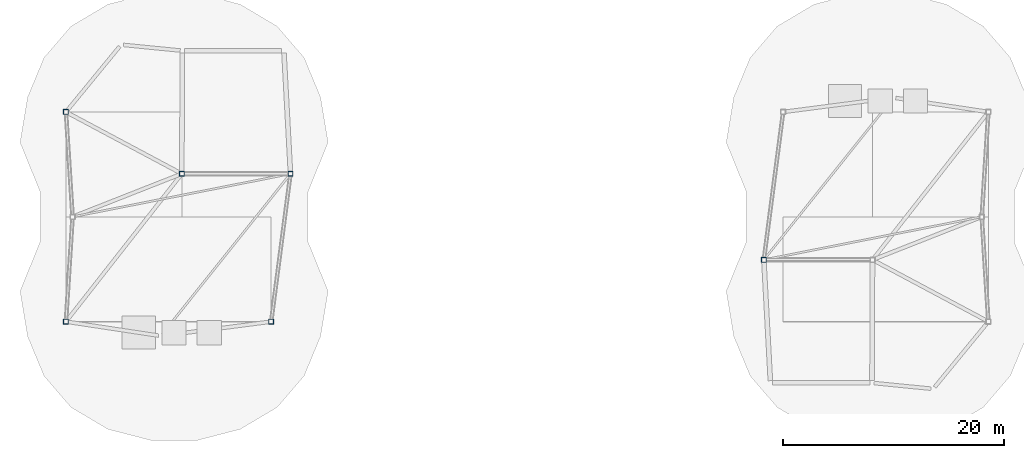
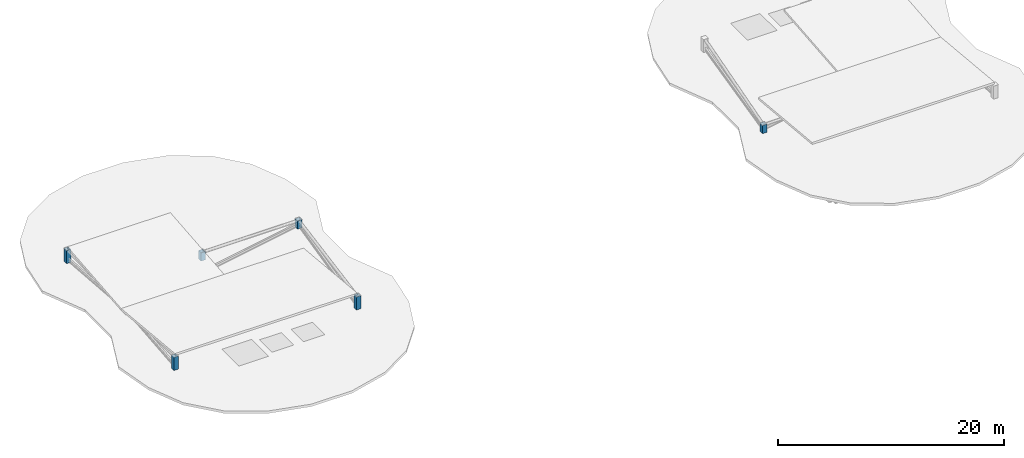
# One storey, part 1 of 6: 6 columns.
"""IFC4 building model written with IfcOpenShell, lengths in metres."""

from ifc_helpers import new_model, si_unit, direction, frame, origin, origin_2d, place, context, subcontext, project, spatial, hollow_rectangle, extrude, material, material_profile, profile_set, type_object, element, save


model = new_model("IFC4")

# Units and contexts
model_context = context("Model", 3, precision=1e-05, world=origin(), true_north=direction((0.0, 1.0)))
body_context = subcontext(model_context, "Body", "Model", "MODEL_VIEW")
ifc_project = project(units=[si_unit("LENGTHUNIT", "METRE"), si_unit("AREAUNIT", "SQUARE_METRE"), si_unit("VOLUMEUNIT", "CUBIC_METRE"), si_unit("PLANEANGLEUNIT", "RADIAN"), si_unit("MASSUNIT", "GRAM", prefix="KILO"), si_unit("THERMODYNAMICTEMPERATUREUNIT", "KELVIN"), si_unit("POWERUNIT", "WATT")], contexts=[model_context])

# Site, building, storey
site_placement = place(None, origin())
site = spatial("IfcSite", under=ifc_project, at=site_placement, CompositionType="ELEMENT")
building_placement = place(site_placement, origin())
building = spatial("IfcBuilding", under=site, at=building_placement, Name="Cundina Bronze Exchange", CompositionType="ELEMENT")
storey_placement = place(building_placement, frame((0.0, 0.0, 291.60009765625)))
storey = spatial("IfcBuildingStorey", under=building, at=storey_placement, Name="RF", CompositionType="ELEMENT", Elevation=291.60009765625)

# Columns
ifc_material = material(Name="Steel ASTM A501 Grade B", Category="steel")
ifc_material_profile = material_profile(ifc_material, hollow_rectangle(XDim=0.449951171875, YDim=0.449951171875, WallThickness=0.02490234375, at=origin_2d()), Name="HSS450X450X25", Category="steel")
ifc_profile_set = profile_set([ifc_material_profile], Name="Steel ASTM A501 Grade B")
column_type = type_object("IfcColumnType", Name="COL-STL-HSS45", PredefinedType="COLUMN", material=ifc_profile_set)
column_1_placement = place(storey_placement, frame((-21.449951171875, 3.89990234375, 0.0), z_axis=(0.0, 0.0, 1.0), x_axis=(1.0, 0.0, 0.0)))
element("IfcColumn", 1, at=column_1_placement, inside=storey, type_object=column_type, Name="RF Leg W V-Notch Roof Pier E1", PredefinedType="COLUMN", context=body_context, shape_type="SweptSolid", body=[
    extrude(hollow_rectangle(XDim=0.449951171875, YDim=0.449951171875, WallThickness=0.02490234375, at=origin_2d()), origin(), (0.0, 0.0, 1.0), 0.88037109375),
])
column_2_placement = place(storey_placement, frame((-41.800048828125, 9.5, 0.0), z_axis=(0.0, 0.0, 1.0), x_axis=(1.0, 0.0, 0.0)))
element("IfcColumn", 2, at=column_2_placement, inside=storey, type_object=column_type, Name="RF Leg W V-Notch Roof Pier RN0", PredefinedType="COLUMN", context=body_context, shape_type="SweptSolid", body=[
    extrude(hollow_rectangle(XDim=0.449951171875, YDim=0.449951171875, WallThickness=0.02490234375, at=origin_2d()), origin(), (0.0, 0.0, 1.0), 1.412353515625),
])
column_3_placement = place(storey_placement, frame((-31.300048828125, 3.89990234375, 0.0), z_axis=(0.0, 0.0, 1.0), x_axis=(1.0, 0.0, 0.0)))
element("IfcColumn", 3, at=column_3_placement, inside=storey, type_object=column_type, Name="RF Leg W V-Notch Roof Pier RN1", PredefinedType="COLUMN", context=body_context, shape_type="SweptSolid", body=[
    extrude(hollow_rectangle(XDim=0.449951171875, YDim=0.449951171875, WallThickness=0.02490234375, at=origin_2d()), origin(), (0.0, 0.0, 1.0), 0.88037109375),
])
for number, where, z_axis, x_axis, name in (
    (4, (-41.800048828125, -9.5, 0.0), (0.0, 0.0, 1.0), (1.0, 0.0, 0.0), "RF Leg W V-Notch Roof Pier RS0"),
    (5, (-23.199951171875, -9.5, 0.0), (0.0, 0.0, 1.0), (1.0, 0.0, 0.0), "RF Leg W V-Notch Roof Pier RS1"),
):
    element("IfcColumn", number, at=place(storey_placement, frame(where, z_axis=z_axis, x_axis=x_axis)), inside=storey, type_object=column_type, Name=name, PredefinedType="COLUMN", context=body_context, shape_type="SweptSolid", body=[
        extrude(hollow_rectangle(XDim=0.449951171875, YDim=0.449951171875, WallThickness=0.02490234375, at=origin_2d()), origin(), (0.0, 0.0, 1.0), 1.412353515625),
    ])
column_4_placement = place(storey_placement, frame((21.449951171875, -3.89990234375, 0.0), z_axis=(0.0, 0.0, 1.0), x_axis=(1.0, 0.0, 0.0)))
element("IfcColumn", 6, at=column_4_placement, inside=storey, type_object=column_type, Name="RF Leg E V-Notch Roof Pier E1", PredefinedType="COLUMN", context=body_context, shape_type="SweptSolid", body=[
    extrude(hollow_rectangle(XDim=0.449951171875, YDim=0.449951171875, WallThickness=0.02490234375, at=origin_2d()), origin(), (0.0, 0.0, 1.0), 0.88037109375),
])

save(model, "model.ifc")
